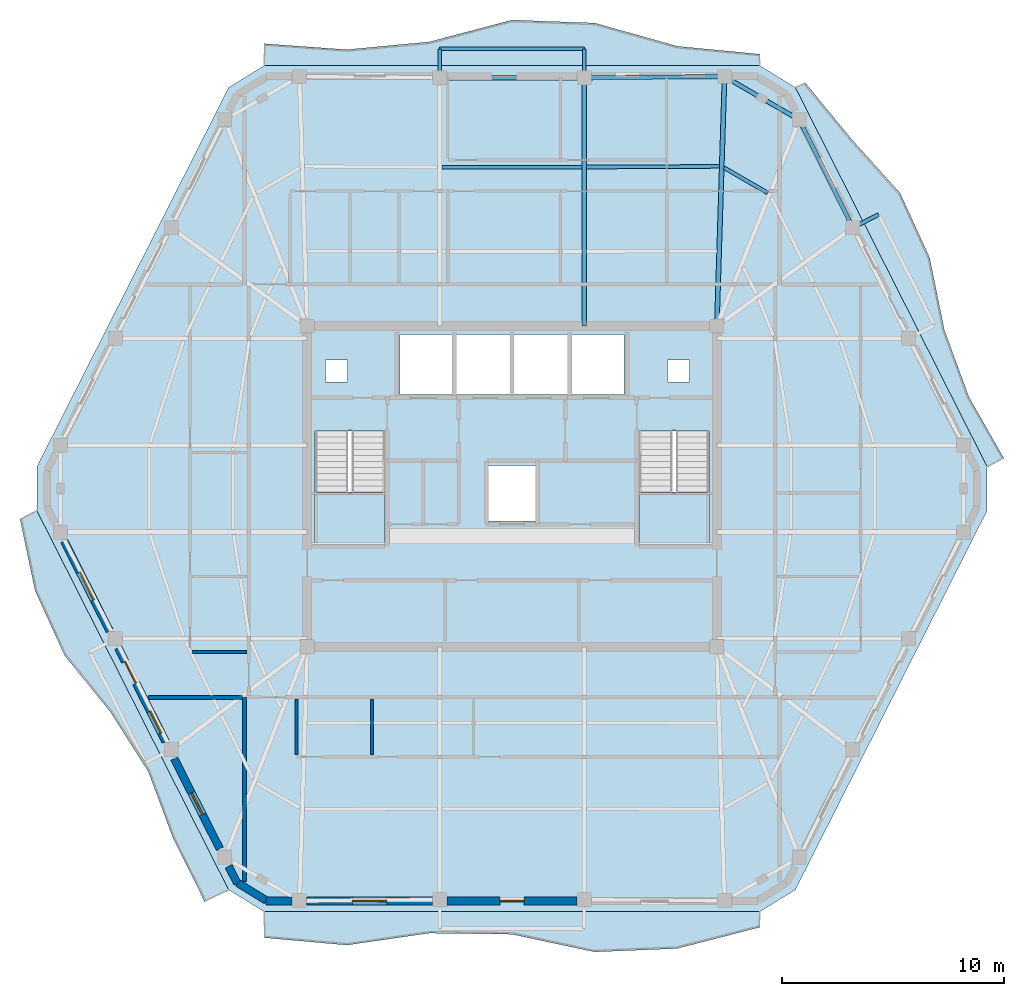
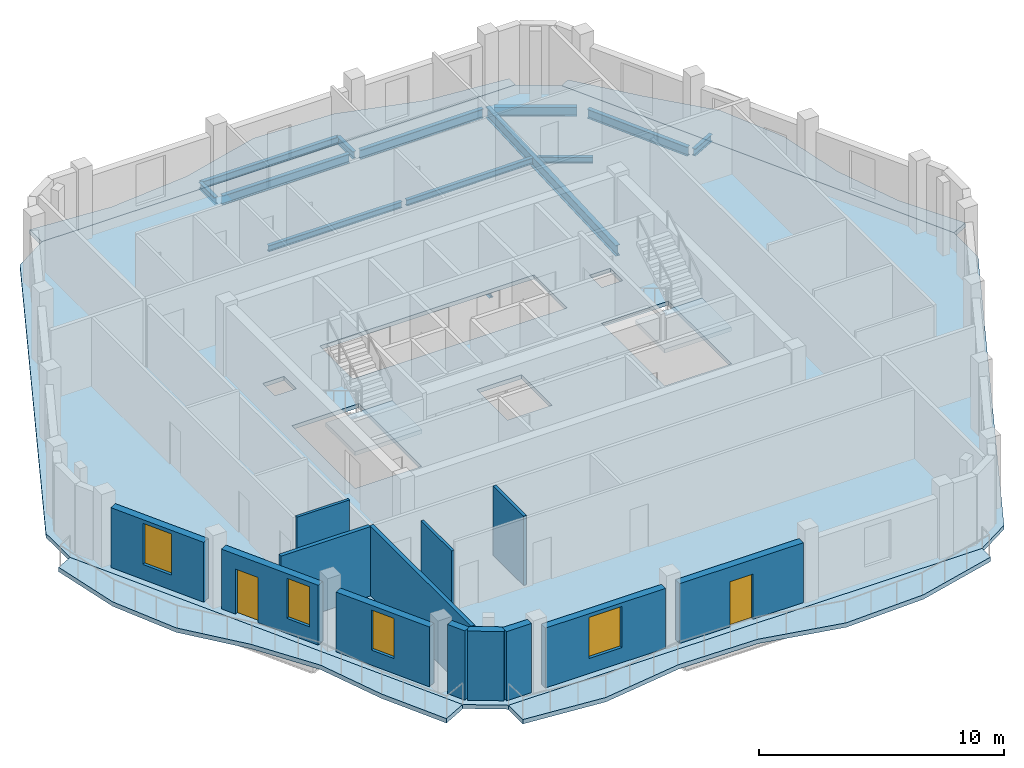
# One storey, part 3 of 10: 13 beams, 13 walls, 7 slabs, 4 windows, 2 doors, 6 openings, 2 elements without a shape of their own.
"""IFC4 building model written with IfcOpenShell, lengths in metres."""

from ifc_helpers import new_model, si_unit, direction, frame, frame_2d, origin, origin_2d, place, context, subcontext, project, spatial, polyline, rectangle, i_section, outline, extrude, material, layer, layer_set, material_profile, profile_set, type_object, element, fill, aggregate, save


model = new_model("IFC4")

# Units and contexts
model_context = context("Model", 3, precision=1e-05, world=origin(), true_north=direction((0.0, 1.0)))
body_context = subcontext(model_context, "Body", "Model", "MODEL_VIEW")
ifc_project = project(units=[si_unit("LENGTHUNIT", "METRE"), si_unit("AREAUNIT", "SQUARE_METRE"), si_unit("VOLUMEUNIT", "CUBIC_METRE"), si_unit("PLANEANGLEUNIT", "RADIAN"), si_unit("MASSUNIT", "GRAM", prefix="KILO")], contexts=[model_context])

# Site, building, storey
site_placement = place(None, origin())
site = spatial("IfcSite", under=ifc_project, at=site_placement, CompositionType="ELEMENT")
building_placement = place(site_placement, origin())
building = spatial("IfcBuilding", under=site, at=building_placement, Name="Cinnabar Lancet Tower", CompositionType="ELEMENT")
storey_placement = place(building_placement, frame((0.0, 0.0, 263.5)))
storey = spatial("IfcBuildingStorey", under=building, at=storey_placement, Name="L70", CompositionType="ELEMENT", Elevation=263.5)

# Beams
ifc_material_1 = material(Name="Structural steel S355", Category="steel")
ifc_material_profile_1 = material_profile(ifc_material_1, i_section(OverallWidth=0.1650390625, OverallDepth=0.303466796875, WebThickness=0.006103515625, FlangeThickness=0.01025390625, FilletRadius=0.0087890625, at=origin_2d()), Name="UKB 305x165x40")
ifc_profile_set_1 = profile_set([ifc_material_profile_1], Name="Structural steel S355")
beam_type_1 = type_object("IfcBeamType", Name="STR-BM-JST-305", PredefinedType="JOIST", material=ifc_profile_set_1)
beam_1_placement = place(storey_placement, frame((43.912109375, 39.1201171875, -0.35205078125), z_axis=(-0.865426285481, 0.501036270542, 0.0), x_axis=(-0.501036270542, -0.865426285481, 0.0)))
element("IfcBeam", 1, at=beam_1_placement, inside=storey, type_object=beam_type_1, Name="L70 Secondary Floor Joist 29", PredefinedType="JOIST", context=body_context, shape_type="SweptSolid", body=[
    extrude(i_section(OverallWidth=0.1650390625, OverallDepth=0.303466796875, WebThickness=0.006103515625, FlangeThickness=0.01025390625, FilletRadius=0.0087890625, at=origin_2d()), origin(), (0.0, 0.0, 1.0), 2.267333984375),
])
beam_2_placement = place(storey_placement, frame((41.741943359375, 40.31494140625, -0.35205078125), z_axis=(-0.999985712428, -0.005345553266, 0.0), x_axis=(0.005345553266, -0.999985712428, 0.0)))
element("IfcBeam", 2, at=beam_2_placement, inside=storey, type_object=beam_type_1, Name="L70 Secondary Floor Joist 30", PredefinedType="JOIST", context=body_context, shape_type="SweptSolid", body=[
    extrude(i_section(OverallWidth=0.1650390625, OverallDepth=0.303466796875, WebThickness=0.006103515625, FlangeThickness=0.01025390625, FilletRadius=0.0087890625, at=origin_2d()), origin(), (0.0, 0.0, 1.0), 5.98291015625),
])
beam_3_placement = place(storey_placement, frame((35.549072265625, 40.281982421875, -0.35205078125), z_axis=(-1.0, 0.0, 0.0), x_axis=(0.0, -1.0, 0.0)))
element("IfcBeam", 3, at=beam_3_placement, inside=storey, type_object=beam_type_1, Name="L70 Secondary Floor Joist 32", PredefinedType="JOIST", context=body_context, shape_type="SweptSolid", body=[
    extrude(i_section(OverallWidth=0.1650390625, OverallDepth=0.303466796875, WebThickness=0.006103515625, FlangeThickness=0.01025390625, FilletRadius=0.0087890625, at=origin_2d()), origin(), (0.0, 0.0, 1.0), 6.298095703125),
])
ifc_material_2 = material(Name="Structural steel S355", Category="steel")
ifc_material_profile_2 = material_profile(ifc_material_2, i_section(OverallWidth=0.1904296875, OverallDepth=0.45703125, WebThickness=0.009033203125, FlangeThickness=0.014404296875, FilletRadius=0.01025390625, at=origin_2d()), Name="UKB 457x191x74")
ifc_profile_set_2 = profile_set([ifc_material_profile_2], Name="Structural steel S355")
beam_type_2 = type_object("IfcBeamType", Name="STR-BM-SPN-457", PredefinedType="SPANDREL", material=ifc_profile_set_2)
beam_4_placement = place(storey_placement, frame((47.637939453125, 37.778076171875, -0.427978515625), z_axis=(-0.444372599207, 0.895842058107, 0.0), x_axis=(-0.895842058107, -0.444372599207, 0.0)))
element("IfcBeam", 4, at=beam_4_placement, inside=storey, type_object=beam_type_2, Name="L70 Perimeter Spandrel 11", PredefinedType="SPANDREL", context=body_context, shape_type="SweptSolid", body=[
    extrude(i_section(OverallWidth=0.1904296875, OverallDepth=0.45703125, WebThickness=0.009033203125, FlangeThickness=0.014404296875, FilletRadius=0.01025390625, at=origin_2d()), origin(), (0.0, 0.0, 1.0), 4.91943359375),
])
beam_5_placement = place(storey_placement, frame((45.125, 42.533935546875, -0.427978515625), z_axis=(-0.865199693264, 0.501427453153, 0.0), x_axis=(-0.501427453153, -0.865199693264, 0.0)))
element("IfcBeam", 5, at=beam_5_placement, inside=storey, type_object=beam_type_2, Name="L70 Perimeter Spandrel 12", PredefinedType="SPANDREL", context=body_context, shape_type="SweptSolid", body=[
    extrude(i_section(OverallWidth=0.1904296875, OverallDepth=0.45703125, WebThickness=0.009033203125, FlangeThickness=0.014404296875, FilletRadius=0.01025390625, at=origin_2d()), origin(), (0.0, 0.0, 1.0), 3.39453125),
])
beam_6_placement = place(storey_placement, frame((41.721923828125, 44.35888671875, -0.427978515625), z_axis=(-0.999964782464, -0.008392486634, 0.0), x_axis=(0.008392486634, -0.999964782464, 0.0)))
element("IfcBeam", 6, at=beam_6_placement, inside=storey, type_object=beam_type_2, Name="L70 Perimeter Spandrel 13", PredefinedType="SPANDREL", context=body_context, shape_type="SweptSolid", body=[
    extrude(i_section(OverallWidth=0.1904296875, OverallDepth=0.45703125, WebThickness=0.009033203125, FlangeThickness=0.014404296875, FilletRadius=0.01025390625, at=origin_2d()), origin(), (0.0, 0.0, 1.0), 5.818115234375),
])
beam_7_placement = place(storey_placement, frame((35.404052734375, 44.30810546875, -0.427978515625), z_axis=(-1.0, 0.0, 0.0), x_axis=(0.0, -1.0, 0.0)))
element("IfcBeam", 7, at=beam_7_placement, inside=storey, type_object=beam_type_2, Name="L70 Perimeter Spandrel 14", PredefinedType="SPANDREL", context=body_context, shape_type="SweptSolid", body=[
    extrude(i_section(OverallWidth=0.1904296875, OverallDepth=0.45703125, WebThickness=0.009033203125, FlangeThickness=0.014404296875, FilletRadius=0.01025390625, at=origin_2d()), origin(), (0.0, 0.0, 1.0), 6.008056640625),
])
ifc_material_3 = material(Name="Structural steel S355", Category="steel")
ifc_material_profile_3 = material_profile(ifc_material_3, i_section(OverallWidth=0.209228515625, OverallDepth=0.533203125, WebThickness=0.010009765625, FlangeThickness=0.015625, FilletRadius=0.0126953125, at=origin_2d()), Name="UKB 533x210x92")
ifc_profile_set_3 = profile_set([ifc_material_profile_3], Name="Structural steel S355")
beam_type_3 = type_object("IfcBeamType", Name="STR-BM-UKB533-92", PredefinedType="BEAM", material=ifc_profile_set_3)
beam_8_placement = place(storey_placement, frame((41.971923828125, 44.361083984375, -0.467041015625), z_axis=(-0.030861159652, -0.999523680973, 0.0), x_axis=(0.999523680973, -0.030861159652, 0.0)))
element("IfcBeam", 8, at=beam_8_placement, inside=storey, type_object=beam_type_3, Name="L70 Primary Floor Girder 13", PredefinedType="BEAM", context=body_context, shape_type="SweptSolid", body=[
    extrude(i_section(OverallWidth=0.209228515625, OverallDepth=0.533203125, WebThickness=0.010009765625, FlangeThickness=0.015625, FilletRadius=0.0126953125, at=origin_2d()), origin(), (0.0, 0.0, 1.0), 11.241455078125),
])
beam_9_placement = place(storey_placement, frame((35.654052734375, 44.30810546875, -0.467041015625), z_axis=(0.0, -1.0, 0.0), x_axis=(1.0, 0.0, 0.0)))
element("IfcBeam", 9, at=beam_9_placement, inside=storey, type_object=beam_type_3, Name="L70 Primary Floor Girder 14", PredefinedType="BEAM", context=body_context, shape_type="SweptSolid", body=[
    extrude(i_section(OverallWidth=0.209228515625, OverallDepth=0.533203125, WebThickness=0.010009765625, FlangeThickness=0.015625, FilletRadius=0.0126953125, at=origin_2d()), origin(), (0.0, 0.0, 1.0), 11.18310546875),
])
ifc_material_4 = material(Name="Structural steel S355", Category="steel")
ifc_material_profile_4 = material_profile(ifc_material_4, i_section(OverallWidth=0.17138671875, OverallDepth=0.35498046875, WebThickness=0.00732421875, FlangeThickness=0.011474609375, FilletRadius=0.01025390625, at=origin_2d()), Name="UKB 356x171x51")
ifc_profile_set_4 = profile_set([ifc_material_profile_4], Name="Structural steel S355")
beam_type_4 = type_object("IfcBeamType", Name="STR-BM-WAV-OUT", PredefinedType="BEAM", material=ifc_profile_set_4)
beam_10_placement = place(storey_placement, frame((47.7490234375, 37.553955078125, -0.39794921875), z_axis=(0.892200264127, 0.451639998995, 0.0), x_axis=(-0.451639998995, 0.892200264127, 0.0)))
element("IfcBeam", 10, at=beam_10_placement, inside=storey, type_object=beam_type_4, Name="L70 Face 3 Balcony Outlooker B", PredefinedType="BEAM", context=body_context, shape_type="SweptSolid", body=[
    extrude(i_section(OverallWidth=0.17138671875, OverallDepth=0.35498046875, WebThickness=0.00732421875, FlangeThickness=0.011474609375, FilletRadius=0.01025390625, at=origin_2d()), origin(), (0.0, 0.0, 1.0), 1.300048828125),
])
for number, where, z_axis, x_axis, name in (
    (11, (35.654052734375, 44.30810546875, -0.39794921875), (0.0, 1.0, 0.0), (-1.0, 0.0, 0.0), "L70 Face 4 Balcony Outlooker A"),
    (12, (29.14599609375, 44.30810546875, -0.39794921875), (0.0, 1.0, 0.0), (-1.0, 0.0, 0.0), "L70 Face 4 Balcony Outlooker B"),
):
    element("IfcBeam", number, at=place(storey_placement, frame(where, z_axis=z_axis, x_axis=x_axis)), inside=storey, type_object=beam_type_4, Name=name, PredefinedType="BEAM", context=body_context, shape_type="SweptSolid", body=[
        extrude(i_section(OverallWidth=0.17138671875, OverallDepth=0.35498046875, WebThickness=0.00732421875, FlangeThickness=0.011474609375, FilletRadius=0.01025390625, at=origin_2d()), origin(), (0.0, 0.0, 1.0), 1.2998046875),
    ])
ifc_material_5 = material(Name="Structural steel S355", Category="steel")
ifc_material_profile_5 = material_profile(ifc_material_5, i_section(OverallWidth=0.17138671875, OverallDepth=0.35498046875, WebThickness=0.00732421875, FlangeThickness=0.011474609375, FilletRadius=0.01025390625, at=origin_2d()), Name="UKB 356x171x51")
ifc_profile_set_5 = profile_set([ifc_material_profile_5], Name="Structural steel S355")
beam_type_5 = type_object("IfcBeamType", Name="STR-BM-WAV-TRIM", PredefinedType="SPANDREL", material=ifc_profile_set_5)
beam_11_placement = place(storey_placement, frame((35.654052734375, 45.60791015625, -0.39794921875), z_axis=(-1.0, 0.0, 0.0), x_axis=(0.0, -1.0, 0.0)))
element("IfcBeam", 13, at=beam_11_placement, inside=storey, type_object=beam_type_5, Name="L70 Face 4 Balcony Edge Trimmer", PredefinedType="SPANDREL", context=body_context, shape_type="SweptSolid", body=[
    extrude(i_section(OverallWidth=0.17138671875, OverallDepth=0.35498046875, WebThickness=0.00732421875, FlangeThickness=0.011474609375, FilletRadius=0.01025390625, at=origin_2d()), origin(), (0.0, 0.0, 1.0), 6.508056640625),
])

# Stair, slab
ifc_material_6 = material(Name="Concrete C40/50", Category="concrete")
stair_type = type_object("IfcStairType", Name="ST-CORE", PredefinedType="HALF_TURN_STAIR", material=ifc_material_6)
stair_1_placement = place(storey_placement, origin())
stair_1 = element("IfcStair", 14, at=stair_1_placement, inside=storey, type_object=stair_type, Name="L70 ST-1", PredefinedType="HALF_TURN_STAIR")
ifc_material_7 = material(Name="Concrete C40/50", Category="concrete")
ifc_layer_1 = layer(ifc_material_7, 0.199951171875)
ifc_layer_set_1 = layer_set([ifc_layer_1], Name="Concrete C40/50")
slab_type_1 = type_object("IfcSlabType", Name="LANDING-CORE", PredefinedType="LANDING", material=ifc_layer_set_1)
slab_1_placement = place(storey_placement, frame((0.0, 0.0, 1.625)))
slab_1 = element("IfcSlab", 15, at=slab_1_placement, type_object=slab_type_1, Name="ST-1 landing 1", PredefinedType="LANDING", context=body_context, shape_type="SweptSolid", body=[
    extrude(outline(polyline([(23.52490234375, 25.64990234375), (23.52490234375, 23.25), (26.675048828125, 23.25), (26.675048828125, 25.64990234375), (23.52490234375, 25.64990234375)])), origin(), (0.0, 0.0, 1.0), 0.199951171875),
])
aggregate(stair_1, [slab_1])

stair_2_placement = place(storey_placement, origin())
stair_2 = element("IfcStair", 16, at=stair_2_placement, inside=storey, type_object=stair_type, Name="L70 ST-2", PredefinedType="HALF_TURN_STAIR")
slab_2_placement = place(storey_placement, frame((0.0, 0.0, 1.625)))
slab_2 = element("IfcSlab", 17, at=slab_2_placement, type_object=slab_type_1, Name="ST-2 landing 1", PredefinedType="LANDING", context=body_context, shape_type="SweptSolid", body=[
    extrude(outline(polyline([(38.125, 25.64990234375), (38.125, 23.25), (41.27490234375, 23.25), (41.27490234375, 25.64990234375), (38.125, 25.64990234375)])), origin(), (0.0, 0.0, 1.0), 0.199951171875),
])
aggregate(stair_2, [slab_2])

# Slabs
ifc_material_8 = material(Name="Concrete C40/50", Category="concrete")
ifc_layer_2 = layer(ifc_material_8, 0.199951171875)
ifc_layer_set_2 = layer_set([ifc_layer_2], Name="Concrete C40/50")
slab_type_2 = type_object("IfcSlabType", Name="STR-SLB-FLR-200", PredefinedType="FLOOR", material=ifc_layer_set_2)
slab_3_placement = place(storey_placement, frame((0.0, 0.0, -0.199951171875)))
element("IfcSlab", 18, at=slab_3_placement, inside=storey, type_object=slab_type_2, Name="L70 Structural Floor Slab", PredefinedType="FLOOR", context=body_context, shape_type="SweptSolid", body=[
    extrude(outline(polyline([(19.638916015625, 7.73193359375), (21.236083984375, 6.75), (43.56396484375, 6.75), (45.160888671875, 7.73193359375), (53.802978515625, 24.818115234375), (53.802978515625, 26.781982421875), (45.160888671875, 43.867919921875), (43.56396484375, 44.85009765625), (21.236083984375, 44.85009765625), (19.638916015625, 43.867919921875), (10.9970703125, 26.781982421875), (10.9970703125, 24.818115234375), (19.638916015625, 7.73193359375)]), holes=[polyline([(23.52490234375, 23.25), (26.675048828125, 23.25), (26.675048828125, 28.3994140625), (23.52490234375, 28.3994140625), (23.52490234375, 23.25)]), polyline([(38.125, 23.25), (41.27490234375, 23.25), (41.27490234375, 28.3994140625), (38.125, 28.3994140625), (38.125, 23.25)]), polyline([(27.35009765625, 30.050048828125), (37.449951171875, 30.050048828125), (37.449951171875, 32.75), (27.35009765625, 32.75), (27.35009765625, 30.050048828125)]), polyline([(31.35009765625, 24.35009765625), (33.449951171875, 24.35009765625), (33.449951171875, 26.85009765625), (31.35009765625, 26.85009765625), (31.35009765625, 24.35009765625)]), polyline([(24.0, 30.60009765625), (25.0, 30.60009765625), (25.0, 31.60009765625), (24.0, 31.60009765625), (24.0, 30.60009765625)]), polyline([(39.39990234375, 30.60009765625), (40.39990234375, 30.60009765625), (40.39990234375, 31.60009765625), (39.39990234375, 31.60009765625), (39.39990234375, 30.60009765625)])]), origin(), (0.0, 0.0, 1.0), 0.199951171875),
])
ifc_material_9 = material(Name="Concrete C45/55", Category="concrete")
ifc_layer_3 = layer(ifc_material_9, 0.219970703125)
ifc_layer_set_3 = layer_set([ifc_layer_3], Name="Concrete C45/55")
slab_type_3 = type_object("IfcSlabType", Name="STR-SLB-WAV-220", PredefinedType="FLOOR", material=ifc_layer_set_3)
slab_4_placement = place(storey_placement, frame((0.0, 0.0, -0.219970703125)))
element("IfcSlab", 19, at=slab_4_placement, inside=storey, type_object=slab_type_3, Name="L70 Face 1 Undulating Wave Balcony Slab", PredefinedType="FLOOR", context=body_context, shape_type="SweptSolid", body=[
    extrude(outline(polyline([(21.236083984375, 6.75), (21.236083984375, 5.575927734375), (24.95703125, 5.241943359375), (28.678955078125, 5.781005859375), (32.39990234375, 5.72998046875), (36.12109375, 4.93408203125), (39.843017578125, 5.089111328125), (43.56396484375, 6.048095703125), (43.56396484375, 6.75), (21.236083984375, 6.75)])), origin(), (0.0, 0.0, 1.0), 0.219970703125),
])
slab_5_placement = place(storey_placement, frame((0.0, 0.0, -0.219970703125)))
element("IfcSlab", 20, at=slab_5_placement, inside=storey, type_object=slab_type_3, Name="L70 Face 3 Undulating Wave Balcony Slab", PredefinedType="FLOOR", context=body_context, shape_type="SweptSolid", body=[
    extrude(outline(polyline([(53.802978515625, 26.781982421875), (54.55810546875, 27.1640625), (52.97412109375, 29.93896484375), (51.8701171875, 32.95703125), (51.2109375, 36.199951171875), (49.884033203125, 39.10400390625), (47.674072265625, 41.56298828125), (45.596923828125, 44.089111328125), (45.160888671875, 43.867919921875), (53.802978515625, 26.781982421875)])), origin(), (0.0, 0.0, 1.0), 0.219970703125),
])
slab_6_placement = place(storey_placement, frame((0.0, 0.0, -0.219970703125)))
element("IfcSlab", 21, at=slab_6_placement, inside=storey, type_object=slab_type_3, Name="L70 Face 4 Undulating Wave Balcony Slab", PredefinedType="FLOOR", context=body_context, shape_type="SweptSolid", body=[
    extrude(outline(polyline([(43.56396484375, 44.85009765625), (43.56396484375, 45.367919921875), (39.843017578125, 45.72705078125), (36.12109375, 46.77294921875), (32.39990234375, 46.906982421875), (28.678955078125, 45.925048828125), (24.95703125, 45.573974609375), (21.236083984375, 45.841064453125), (21.236083984375, 44.85009765625), (43.56396484375, 44.85009765625)])), origin(), (0.0, 0.0, 1.0), 0.219970703125),
])
slab_7_placement = place(storey_placement, frame((0.0, 0.0, -0.219970703125)))
element("IfcSlab", 22, at=slab_7_placement, inside=storey, type_object=slab_type_3, Name="L70 Face 6 Undulating Wave Balcony Slab", PredefinedType="FLOOR", context=body_context, shape_type="SweptSolid", body=[
    extrude(outline(polyline([(10.9970703125, 24.818115234375), (10.241943359375, 24.43603515625), (10.9208984375, 21.202880859375), (12.2451171875, 18.297119140625), (14.301025390625, 15.760986328125), (16.02001953125, 13.053955078125), (17.14306640625, 10.0458984375), (18.56494140625, 7.18896484375), (19.638916015625, 7.73193359375), (10.9970703125, 24.818115234375)])), origin(), (0.0, 0.0, 1.0), 0.219970703125),
])

# Walls
ifc_material_10 = material(Name="Fire-rated twin-frame acoustic drywall", Category="gypsum")
ifc_layer_4 = layer(ifc_material_10, 0.179931640625)
ifc_layer_set_4 = layer_set([ifc_layer_4], Name="Fire-rated twin-frame acoustic drywall")
wall_type_1 = type_object("IfcWallType", Name="ARC-WL-PARTY-180", PredefinedType="PARTITIONING", material=ifc_layer_set_4)
wall_1_placement = place(storey_placement, frame((20.35009765625, 8.118896484375, 0.0), z_axis=(0.0, 0.0, 1.0), x_axis=(0.0, 1.0, 0.0)))
element("IfcWall", 23, at=wall_1_placement, inside=storey, type_object=wall_type_1, Name="PW-L70-SPTY-204", PredefinedType="PARTITIONING", context=body_context, shape_type="SweptSolid", body=[
    extrude(rectangle(XDim=8.281005859375, YDim=0.179931640625, at=frame_2d((4.140625, 0.0))), origin(), (0.0, 0.0, 1.0), 3.449951171875),
])
wall_2_placement = place(storey_placement, frame((16.033935546875, 16.39990234375, 0.0), z_axis=(0.0, 0.0, 1.0), x_axis=(1.0, 0.0, 0.0)))
element("IfcWall", 24, at=wall_2_placement, inside=storey, type_object=wall_type_1, Name="PW-L70-WSB", PredefinedType="PARTITIONING", context=body_context, shape_type="SweptSolid", body=[
    extrude(rectangle(XDim=4.220947265625, YDim=0.179931640625, at=frame_2d((2.1103515625, 0.0))), origin(), (0.0, 0.0, 1.0), 3.449951171875),
])
ifc_material_11 = material(Name="Gypsum plasterboard stud partition", Category="gypsum")
ifc_layer_5 = layer(ifc_material_11, 0.125)
ifc_layer_set_5 = layer_set([ifc_layer_5], Name="Gypsum plasterboard stud partition")
wall_type_2 = type_object("IfcWallType", Name="ARC-WL-UNIT-125", PredefinedType="PARTITIONING", material=ifc_layer_set_5)
wall_3_placement = place(storey_placement, frame((22.699951171875, 13.825927734375, 0.0), z_axis=(0.0, 0.0, 1.0), x_axis=(0.0, 1.0, 0.0)))
element("IfcWall", 25, at=wall_3_placement, inside=storey, type_object=wall_type_2, Name="UW-L70-S01-FOYE", PredefinedType="PARTITIONING", context=body_context, shape_type="SweptSolid", body=[
    extrude(rectangle(XDim=2.489013671875, YDim=0.125, at=frame_2d((1.24462890625, 0.0))), origin(), (0.0, 0.0, 1.0), 2.906982421875),
])
wall_4_placement = place(storey_placement, frame((17.985107421875, 18.449951171875, 0.0), z_axis=(0.0, 0.0, 1.0), x_axis=(1.0, 0.0, 0.0)))
element("IfcWall", 26, at=wall_4_placement, inside=storey, type_object=wall_type_2, Name="UW-L70-W01-FOYN", PredefinedType="PARTITIONING", context=body_context, shape_type="SweptSolid", body=[
    extrude(rectangle(XDim=2.47998046875, YDim=0.125, at=frame_2d((1.239990234375, 0.0))), origin(), (0.0, 0.0, 1.0), 3.449951171875),
])
ifc_material_12 = material(Name="Moisture-resistant cement-board plumbing wall", Category="masonry")
ifc_layer_6 = layer(ifc_material_12, 0.139892578125)
ifc_layer_set_6 = layer_set([ifc_layer_6], Name="Moisture-resistant cement-board plumbing wall")
wall_type_3 = type_object("IfcWallType", Name="ARC-WL-WET-140", PredefinedType="PLUMBINGWALL", material=ifc_layer_set_6)
wall_5_placement = place(storey_placement, frame((26.10009765625, 13.825927734375, 0.0), z_axis=(0.0, 0.0, 1.0), x_axis=(0.0, 1.0, 0.0)))
element("IfcWall", 27, at=wall_5_placement, inside=storey, type_object=wall_type_3, Name="UW-L70-S01-KDV", PredefinedType="PLUMBINGWALL", context=body_context, shape_type="SweptSolid", body=[
    extrude(rectangle(XDim=2.489013671875, YDim=0.139892578125, at=frame_2d((1.24462890625, 0.0))), origin(), (0.0, 0.0, 1.0), 3.449951171875),
])
ifc_material_13 = material(Name="Cinnabar red clay brick", Category="masonry")
ifc_layer_7 = layer(ifc_material_13, 0.340087890625)
ifc_layer_set_7 = layer_set([ifc_layer_7], Name="Cinnabar red clay brick")
wall_type_4 = type_object("IfcWallType", Name="ENV-WL-BRK-RED-340", PredefinedType="STANDARD", material=ifc_layer_set_7)
wall_6_placement = place(storey_placement, frame((20.047119140625, 8.044921875, 0.0), z_axis=(0.0, 0.0, 1.0), x_axis=(0.851680557619, -0.52406128246, 0.0)))
element("IfcWall", 28, at=wall_6_placement, inside=storey, type_object=wall_type_4, Name="L70 Chamfered Corner Brick Pier 1.1", PredefinedType="STANDARD", context=body_context, shape_type="SweptSolid", body=[
    extrude(rectangle(XDim=1.507568359375, YDim=0.340087890625, at=frame_2d((0.75390625, 0.0))), origin(), (0.0, 0.0, 1.0), 3.449951171875),
])
wall_7_placement = place(storey_placement, frame((21.325927734375, 7.22998046875, 0.0), z_axis=(0.0, 0.0, 1.0), x_axis=(1.0, 0.0, 0.0)))
element("IfcWall", 29, at=wall_7_placement, inside=storey, type_object=wall_type_4, Name="L70 Face 1 Masonry Bay Wall 1", PredefinedType="STANDARD", context=body_context, shape_type="SweptSolid", body=[
    extrude(rectangle(XDim=1.173095703125, YDim=0.340087890625, at=frame_2d((0.58642578125, 0.0))), origin(), (0.0, 0.0, 1.0), 3.449951171875),
])

# Wall, opening, window
wall_8_placement = place(storey_placement, frame((23.156982421875, 7.22998046875, 0.0), z_axis=(0.0, 0.0, 1.0), x_axis=(1.0, 0.0, 0.0)))
wall_8 = element("IfcWall", 30, at=wall_8_placement, inside=storey, type_object=wall_type_4, Name="L70 Face 1 Masonry Bay Wall 2", PredefinedType="STANDARD", context=body_context, shape_type="SweptSolid", body=[
    extrude(rectangle(XDim=5.659912109375, YDim=0.340087890625, at=frame_2d((2.830078125, 0.0))), origin(), (0.0, 0.0, 1.0), 2.98291015625),
])
opening_1_placement = place(wall_8_placement, frame((2.054931640625, 0.0, 0.75)))
opening_1 = element("IfcOpeningElement", 31, at=opening_1_placement, cuts=wall_8, Name="Opening WN-01", PredefinedType="OPENING", context=body_context, shape_type="SweptSolid", body=[
    extrude(rectangle(XDim=1.550048828125, YDim=2.050048828125, at=frame_2d((0.77490234375, 1.02490234375))), frame((0.0, 0.179931640625, 0.0), z_axis=(0.0, -1.0, 0.0), x_axis=(1.0, 0.0, 0.0)), (0.0, 0.0, 1.0), 0.360107421875),
])
ifc_material_14 = material(Name="Thermally broken bronze-anodized aluminium low-E double glazing", Category="aluminium")
window_type_1 = type_object("IfcWindowType", Name="ENV-WN-LANCET-1550", PartitioningType="SINGLE_PANEL", PredefinedType="WINDOW", material=ifc_material_14)
window_1_placement = place(opening_1_placement, origin())
window_1 = element("IfcWindow", 32, at=window_1_placement, inside=storey, type_object=window_type_1, Name="L70 Face 1 Gothic Lancet Window 2", OverallHeight=2.050048828125, OverallWidth=1.550048828125, PartitioningType="SINGLE_PANEL", PredefinedType="WINDOW", context=body_context, shape_type="SweptSolid", body=[
    extrude(rectangle(XDim=1.550048828125, YDim=2.050048828125, at=frame_2d((0.77490234375, 1.02490234375))), frame((0.0, 0.030029296875, 0.0), z_axis=(0.0, -1.0, 0.0), x_axis=(1.0, 0.0, 0.0)), (0.0, 0.0, 1.0), 0.06005859375),
])
fill(opening_1, window_1)

# Wall, opening, door
wall_9_placement = place(storey_placement, frame((29.47509765625, 7.22998046875, 0.0), z_axis=(0.0, 0.0, 1.0), x_axis=(1.0, 0.0, 0.0)))
wall_9 = element("IfcWall", 33, at=wall_9_placement, inside=storey, type_object=wall_type_4, Name="L70 Face 1 Masonry Bay Wall 3", PredefinedType="STANDARD", context=body_context, shape_type="SweptSolid", body=[
    extrude(rectangle(XDim=5.849853515625, YDim=0.340087890625, at=frame_2d((2.9248046875, 0.0))), origin(), (0.0, 0.0, 1.0), 2.98291015625),
])
opening_2_placement = place(wall_9_placement, frame((2.375, 0.0, 0.0)))
opening_2 = element("IfcOpeningElement", 34, at=opening_2_placement, cuts=wall_9, Name="Opening TD-01", PredefinedType="OPENING", context=body_context, shape_type="SweptSolid", body=[
    extrude(rectangle(XDim=1.10009765625, YDim=2.25, at=frame_2d((0.550048828125, 1.125))), frame((0.0, 0.179931640625, 0.0), z_axis=(0.0, -1.0, 0.0), x_axis=(1.0, 0.0, 0.0)), (0.0, 0.0, 1.0), 0.360107421875),
])
ifc_material_15 = material(Name="Thermally broken low-E glazed balcony terrace door", Category="wood")
door_type = type_object("IfcDoorType", Name="ARC-DR-BALC", OperationType="NOTDEFINED", PredefinedType="DOOR", material=ifc_material_15)
door_1_placement = place(opening_2_placement, origin())
door_1 = element("IfcDoor", 35, at=door_1_placement, inside=storey, type_object=door_type, Name="L70 Face 1 Glazed Terrace Door", OperationType="SINGLE_SWING_RIGHT", OverallHeight=2.25, OverallWidth=1.10009765625, PredefinedType="DOOR", context=body_context, shape_type="SweptSolid", body=[
    extrude(rectangle(XDim=1.10009765625, YDim=2.25, at=frame_2d((0.550048828125, 1.125))), frame((0.0, 0.02490234375, 0.0), z_axis=(0.0, -1.0, 0.0), x_axis=(1.0, 0.0, 0.0)), (0.0, 0.0, 1.0), 0.050048828125),
])
fill(opening_2, door_1)

# Wall, opening, window
wall_10_placement = place(storey_placement, frame((12.23193359375, 23.43896484375, 0.0), z_axis=(0.0, 0.0, 1.0), x_axis=(0.45147697324, -0.892282770558, 0.0)))
wall_10 = element("IfcWall", 36, at=wall_10_placement, inside=storey, type_object=wall_type_4, Name="L70 Face 6 Masonry Bay Wall 2", PredefinedType="STANDARD", context=body_context, shape_type="SweptSolid", body=[
    extrude(rectangle(XDim=4.530029296875, YDim=0.340087890625, at=frame_2d((2.26513671875, 0.0))), origin(), (0.0, 0.0, 1.0), 2.98291015625),
])
opening_3_placement = place(wall_10_placement, frame((1.56494140625, 0.0, 0.75)))
opening_3 = element("IfcOpeningElement", 37, at=opening_3_placement, cuts=wall_10, Name="Opening WN-02", PredefinedType="OPENING", context=body_context, shape_type="SweptSolid", body=[
    extrude(rectangle(XDim=1.39990234375, YDim=2.050048828125, at=frame_2d((0.699951171875, 1.02490234375))), frame((0.0, 0.179931640625, 0.0), z_axis=(0.0, -1.0, 0.0), x_axis=(1.0, 0.0, 0.0)), (0.0, 0.0, 1.0), 0.360107421875),
])
ifc_material_16 = material(Name="Thermally broken bronze-anodized aluminium low-E double glazing", Category="aluminium")
window_type_2 = type_object("IfcWindowType", Name="ENV-WN-LANCET-1400", PartitioningType="SINGLE_PANEL", PredefinedType="WINDOW", material=ifc_material_16)
window_2_placement = place(opening_3_placement, origin())
window_2 = element("IfcWindow", 38, at=window_2_placement, inside=storey, type_object=window_type_2, Name="L70 Face 6 Gothic Lancet Window 2", OverallHeight=2.050048828125, OverallWidth=1.39990234375, PartitioningType="SINGLE_PANEL", PredefinedType="WINDOW", context=body_context, shape_type="SweptSolid", body=[
    extrude(rectangle(XDim=1.39990234375, YDim=2.050048828125, at=frame_2d((0.699951171875, 1.02490234375))), frame((0.0, 0.030029296875, 0.0), z_axis=(0.0, -1.0, 0.0), x_axis=(1.0, 0.0, 0.0)), (0.0, 0.0, 1.0), 0.06005859375),
])
fill(opening_3, window_2)

# Wall, openings, door, window
wall_11_placement = place(storey_placement, frame((14.666015625, 18.626953125, 0.0), z_axis=(0.0, 0.0, 1.0), x_axis=(0.451468341582, -0.892287137949, 0.0)))
wall_11 = element("IfcWall", 39, at=wall_11_placement, inside=storey, type_object=wall_type_4, Name="L70 Face 6 Masonry Bay Wall 3", PredefinedType="STANDARD", context=body_context, shape_type="SweptSolid", body=[
    extrude(rectangle(XDim=4.72265625, YDim=0.340087890625, at=frame_2d((2.361328125, 0.0))), origin(), (0.0, 0.0, 1.0), 2.98291015625),
])
opening_4_placement = place(wall_11_placement, frame((0.681884765625, 0.0, 0.0)))
opening_4 = element("IfcOpeningElement", 40, at=opening_4_placement, cuts=wall_11, Name="Opening TD-01", PredefinedType="OPENING", context=body_context, shape_type="SweptSolid", body=[
    extrude(rectangle(XDim=1.10009765625, YDim=2.25, at=frame_2d((0.550048828125, 1.125))), frame((0.0, 0.179931640625, 0.0), z_axis=(0.0, -1.0, 0.0), x_axis=(1.0, 0.0, 0.0)), (0.0, 0.0, 1.0), 0.360107421875),
])
opening_5_placement = place(wall_11_placement, frame((3.18896484375, 0.0, 0.75)))
opening_5 = element("IfcOpeningElement", 41, at=opening_5_placement, cuts=wall_11, Name="Opening WN-04", PredefinedType="OPENING", context=body_context, shape_type="SweptSolid", body=[
    extrude(rectangle(XDim=1.10009765625, YDim=2.0, at=frame_2d((0.550048828125, 1.0))), frame((0.0, 0.179931640625, 0.0), z_axis=(0.0, -1.0, 0.0), x_axis=(1.0, 0.0, 0.0)), (0.0, 0.0, 1.0), 0.360107421875),
])
door_2_placement = place(opening_4_placement, origin())
door_2 = element("IfcDoor", 42, at=door_2_placement, inside=storey, type_object=door_type, Name="L70 Face 6 Glazed Terrace Door", OperationType="SINGLE_SWING_LEFT", OverallHeight=2.25, OverallWidth=1.10009765625, PredefinedType="DOOR", context=body_context, shape_type="SweptSolid", body=[
    extrude(rectangle(XDim=1.10009765625, YDim=2.25, at=frame_2d((0.550048828125, 1.125))), frame((0.0, 0.02490234375, 0.0), z_axis=(0.0, -1.0, 0.0), x_axis=(1.0, 0.0, 0.0)), (0.0, 0.0, 1.0), 0.050048828125),
])
fill(opening_4, door_2)
ifc_material_17 = material(Name="Thermally broken bronze-anodized aluminium tall lancet window", Category="aluminium")
window_type_3 = type_object("IfcWindowType", Name="ENV-WN-LANCET-1100", PartitioningType="SINGLE_PANEL", PredefinedType="WINDOW", material=ifc_material_17)
window_3_placement = place(opening_5_placement, origin())
window_3 = element("IfcWindow", 43, at=window_3_placement, inside=storey, type_object=window_type_3, Name="L70 Split-Bay Gothic Lancet Window 262", OverallHeight=2.0, OverallWidth=1.10009765625, PartitioningType="SINGLE_PANEL", PredefinedType="WINDOW", context=body_context, shape_type="SweptSolid", body=[
    extrude(rectangle(XDim=1.10009765625, YDim=2.0, at=frame_2d((0.550048828125, 1.0))), frame((0.0, 0.030029296875, 0.0), z_axis=(0.0, -1.0, 0.0), x_axis=(1.0, 0.0, 0.0)), (0.0, 0.0, 1.0), 0.06005859375),
])
fill(opening_5, window_3)

# Wall, opening, window
wall_12_placement = place(storey_placement, frame((17.18798828125, 13.639892578125, 0.0), z_axis=(0.0, 0.0, 1.0), x_axis=(0.45149770819, -0.892272278791, 0.0)))
wall_12 = element("IfcWall", 44, at=wall_12_placement, inside=storey, type_object=wall_type_4, Name="L70 Face 6 Masonry Bay Wall 4", PredefinedType="STANDARD", context=body_context, shape_type="SweptSolid", body=[
    extrude(rectangle(XDim=4.553466796875, YDim=0.340087890625, at=frame_2d((2.27685546875, 0.0))), origin(), (0.0, 0.0, 1.0), 2.98291015625),
])
opening_6_placement = place(wall_12_placement, frame((1.72705078125, 0.0, 0.75)))
opening_6 = element("IfcOpeningElement", 45, at=opening_6_placement, cuts=wall_12, Name="Opening WN-04", PredefinedType="OPENING", context=body_context, shape_type="SweptSolid", body=[
    extrude(rectangle(XDim=1.10009765625, YDim=2.0, at=frame_2d((0.550048828125, 1.0))), frame((0.0, 0.179931640625, 0.0), z_axis=(0.0, -1.0, 0.0), x_axis=(1.0, 0.0, 0.0)), (0.0, 0.0, 1.0), 0.360107421875),
])
window_4_placement = place(opening_6_placement, origin())
window_4 = element("IfcWindow", 46, at=window_4_placement, inside=storey, type_object=window_type_3, Name="L70 Face 6 Gothic Lancet Window 4", OverallHeight=2.0, OverallWidth=1.10009765625, PartitioningType="SINGLE_PANEL", PredefinedType="WINDOW", context=body_context, shape_type="SweptSolid", body=[
    extrude(rectangle(XDim=1.10009765625, YDim=2.0, at=frame_2d((0.550048828125, 1.0))), frame((0.0, 0.030029296875, 0.0), z_axis=(0.0, -1.0, 0.0), x_axis=(1.0, 0.0, 0.0)), (0.0, 0.0, 1.0), 0.06005859375),
])
fill(opening_6, window_4)

# Wall
wall_13_placement = place(storey_placement, frame((19.64208984375, 8.7890625, 0.0), z_axis=(0.0, 0.0, 1.0), x_axis=(0.451907025977, -0.8920650424, 0.0)))
element("IfcWall", 47, at=wall_13_placement, inside=storey, type_object=wall_type_4, Name="L70 Face 6 Masonry Bay Wall 5", PredefinedType="STANDARD", context=body_context, shape_type="SweptSolid", body=[
    extrude(rectangle(XDim=0.85205078125, YDim=0.340087890625, at=frame_2d((0.426025390625, 0.0))), origin(), (0.0, 0.0, 1.0), 3.449951171875),
])

save(model, "model.ifc")
